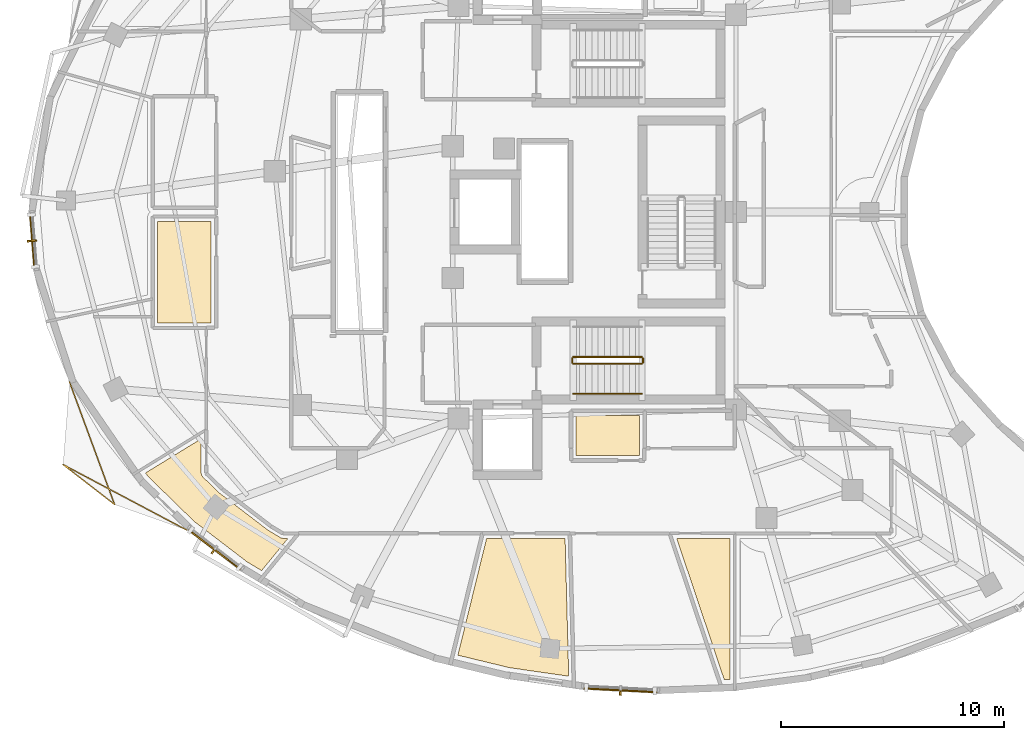
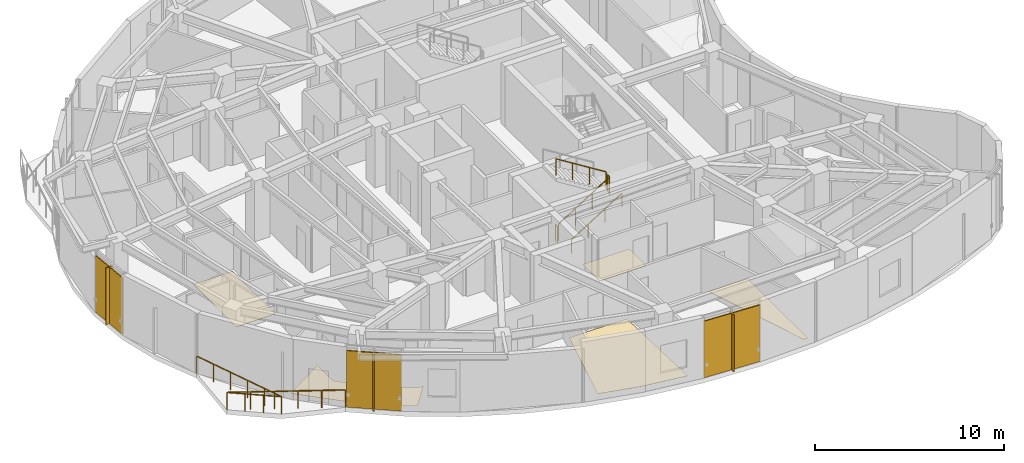
# One storey, part 12 of 14: 6 railings, 6 shading devices, 5 coverings.
"""IFC4 building model written with IfcOpenShell, lengths in metres."""

from ifc_helpers import new_model, si_unit, direction, frame, origin, origin_2d, place, context, subcontext, project, spatial, polyline, rectangle, outline, extrude, material, layer, layer_set, type_object, element, save


model = new_model("IFC4")

# Units and contexts
model_context = context("Model", 3, precision=1e-05, world=origin(), true_north=direction((0.0, 1.0)))
body_context = subcontext(model_context, "Body", "Model", "MODEL_VIEW")
ifc_project = project(units=[si_unit("LENGTHUNIT", "METRE"), si_unit("AREAUNIT", "SQUARE_METRE"), si_unit("VOLUMEUNIT", "CUBIC_METRE"), si_unit("PLANEANGLEUNIT", "RADIAN"), si_unit("MASSUNIT", "GRAM", prefix="KILO")], contexts=[model_context])

# Site, building, storey
site_placement = place(None, origin())
site = spatial("IfcSite", under=ifc_project, at=site_placement, CompositionType="ELEMENT")
building_placement = place(site_placement, origin())
building = spatial("IfcBuilding", under=site, at=building_placement, Name="Korentha Bioscience Tower", CompositionType="ELEMENT")
storey_placement = place(building_placement, frame((0.0, 0.0, 252.0)))
storey = spatial("IfcBuildingStorey", under=building, at=storey_placement, Name="L58", CompositionType="ELEMENT", Elevation=252.0)

# Railings
ifc_material_1 = material(Name="Stainless Steel 304", Category="steel")
railing_type_1 = type_object("IfcRailingType", Name="Brushed Stainless Stair Handrail 900", PredefinedType="HANDRAIL", material=ifc_material_1)
railing_1_placement = place(storey_placement, frame((30.25, 18.85009765625, 0.175048828125)))
element("IfcRailing", 1, at=railing_1_placement, inside=storey, type_object=railing_type_1, Name="L58 ST-2 stair handrail 1", PredefinedType="HANDRAIL", context=body_context, shape_type="SweptSolid", body=[
    extrude(rectangle(XDim=0.048095703125, YDim=0.048095703125, at=origin_2d()), frame((0.0, 0.0, 0.8759765625), z_axis=(0.847998304005, 0.0, 0.529998940003), x_axis=(0.0, 1.0, 0.0)), (0.0, 0.0, 1.0), 3.632080078125),
    extrude(rectangle(XDim=0.0419921875, YDim=0.0419921875, at=origin_2d()), origin(), (0.0, 0.0, 1.0), 0.851806640625),
    extrude(rectangle(XDim=0.0419921875, YDim=0.0419921875, at=origin_2d()), frame((1.026611328125, 0.0, 0.6416015625)), (0.0, 0.0, 1.0), 0.851806640625),
    extrude(rectangle(XDim=0.0419921875, YDim=0.0419921875, at=origin_2d()), frame((2.053466796875, 0.0, 1.283447265625)), (0.0, 0.0, 1.0), 0.851806640625),
    extrude(rectangle(XDim=0.0419921875, YDim=0.0419921875, at=origin_2d()), frame((3.080078125, 0.0, 1.925048828125)), (0.0, 0.0, 1.0), 0.851806640625),
])
ifc_material_2 = material(Name="Laminated Tempered Safety Glass", Category="glass")
railing_type_2 = type_object("IfcRailingType", Name="Laminated Glass Balcony Guardrail 1150", PredefinedType="BALUSTRADE", material=ifc_material_2)
railing_2_placement = place(storey_placement, frame((7.66455078125, 19.37890625, 0.0)))
element("IfcRailing", 2, at=railing_2_placement, inside=storey, type_object=railing_type_2, Name="L58 Balcony Guardrail 03", PredefinedType="BALUSTRADE", context=body_context, shape_type="SweptSolid", body=[
    extrude(rectangle(XDim=0.048095703125, YDim=0.048095703125, at=origin_2d()), frame((0.0, 0.0, 1.1259765625), z_axis=(0.345407668287, -0.938452738655, 0.0), x_axis=(0.938452738655, 0.345407668287, 0.0)), (0.0, 0.0, 1.0), 5.853271484375),
    extrude(rectangle(XDim=0.048095703125, YDim=0.048095703125, at=origin_2d()), frame((2.021728515625, -5.492919921875, 1.1259765625), z_axis=(-0.79056974997, 0.612372003306, 0.0), x_axis=(-0.612372003306, -0.79056974997, 0.0)), (0.0, 0.0, 1.0), 2.92236328125),
    extrude(rectangle(XDim=0.048095703125, YDim=0.048095703125, at=origin_2d()), frame((-0.28857421875, -3.703369140625, 1.1259765625), z_axis=(0.883768046782, -0.467925249892, 0.0), x_axis=(0.467925249892, 0.883768046782, 0.0)), (0.0, 0.0, 1.0), 6.276611328125),
    extrude(rectangle(XDim=0.0419921875, YDim=0.0419921875, at=origin_2d()), origin(), (0.0, 0.0, 1.0), 1.101806640625),
    extrude(rectangle(XDim=0.0419921875, YDim=0.0419921875, at=origin_2d()), frame((0.404296875, -1.0986328125, 0.0)), (0.0, 0.0, 1.0), 1.101806640625),
    extrude(rectangle(XDim=0.0419921875, YDim=0.0419921875, at=origin_2d()), frame((0.80859375, -2.197265625, 0.0)), (0.0, 0.0, 1.0), 1.101806640625),
    extrude(rectangle(XDim=0.0419921875, YDim=0.0419921875, at=origin_2d()), frame((1.213134765625, -3.295654296875, 0.0)), (0.0, 0.0, 1.0), 1.101806640625),
    extrude(rectangle(XDim=0.0419921875, YDim=0.0419921875, at=origin_2d()), frame((1.617431640625, -4.394287109375, 0.0)), (0.0, 0.0, 1.0), 1.101806640625),
    extrude(rectangle(XDim=0.0419921875, YDim=0.0419921875, at=origin_2d()), frame((2.021728515625, -5.492919921875, 0.0)), (0.0, 0.0, 1.0), 1.101806640625),
    extrude(rectangle(XDim=0.0419921875, YDim=0.0419921875, at=origin_2d()), frame((1.251708984375, -4.896484375, 0.0)), (0.0, 0.0, 1.0), 1.101806640625),
    extrude(rectangle(XDim=0.0419921875, YDim=0.0419921875, at=origin_2d()), frame((0.4814453125, -4.2998046875, 0.0)), (0.0, 0.0, 1.0), 1.101806640625),
    extrude(rectangle(XDim=0.0419921875, YDim=0.0419921875, at=origin_2d()), frame((-0.28857421875, -3.703369140625, 0.0)), (0.0, 0.0, 1.0), 1.101806640625),
    extrude(rectangle(XDim=0.0419921875, YDim=0.0419921875, at=origin_2d()), frame((0.82080078125, -4.290771484375, 0.0)), (0.0, 0.0, 1.0), 1.101806640625),
    extrude(rectangle(XDim=0.0419921875, YDim=0.0419921875, at=origin_2d()), frame((1.93017578125, -4.878173828125, 0.0)), (0.0, 0.0, 1.0), 1.101806640625),
    extrude(rectangle(XDim=0.0419921875, YDim=0.0419921875, at=origin_2d()), frame((3.039794921875, -5.465576171875, 0.0)), (0.0, 0.0, 1.0), 1.101806640625),
    extrude(rectangle(XDim=0.0419921875, YDim=0.0419921875, at=origin_2d()), frame((4.149169921875, -6.052978515625, 0.0)), (0.0, 0.0, 1.0), 1.101806640625),
    extrude(rectangle(XDim=0.0419921875, YDim=0.0419921875, at=origin_2d()), frame((5.258544921875, -6.640380859375, 0.0)), (0.0, 0.0, 1.0), 1.101806640625),
])
ifc_material_3 = material(Name="Painted Steel S275", Category="steel")
railing_type_3 = type_object("IfcRailingType", Name="Painted Steel Stair Well Guardrail 1100", PredefinedType="GUARDRAIL", material=ifc_material_3)
railing_3_placement = place(storey_placement, frame((30.25, 20.199951171875, 0.175048828125)))
element("IfcRailing", 3, at=railing_3_placement, inside=storey, type_object=railing_type_3, Name="L58 ST-2 stair guard 1", PredefinedType="GUARDRAIL", context=body_context, shape_type="SweptSolid", body=[
    extrude(rectangle(XDim=0.048095703125, YDim=0.048095703125, at=origin_2d()), frame((0.0, 0.0, 1.076171875), z_axis=(0.847998304005, 0.0, 0.529998940003), x_axis=(0.0, 1.0, 0.0)), (0.0, 0.0, 1.0), 3.632080078125),
    extrude(rectangle(XDim=0.0419921875, YDim=0.0419921875, at=origin_2d()), origin(), (0.0, 0.0, 1.0), 1.052001953125),
    extrude(rectangle(XDim=0.0419921875, YDim=0.0419921875, at=origin_2d()), frame((1.026611328125, 0.0, 0.6416015625)), (0.0, 0.0, 1.0), 1.052001953125),
    extrude(rectangle(XDim=0.0419921875, YDim=0.0419921875, at=origin_2d()), frame((2.053466796875, 0.0, 1.283447265625)), (0.0, 0.0, 1.0), 1.052001953125),
    extrude(rectangle(XDim=0.0419921875, YDim=0.0419921875, at=origin_2d()), frame((3.080078125, 0.0, 1.925048828125)), (0.0, 0.0, 1.0), 1.052001953125),
])
railing_4_placement = place(storey_placement, frame((33.3798828125, 20.25, 2.10009765625)))
element("IfcRailing", 4, at=railing_4_placement, inside=storey, type_object=railing_type_3, Name="L58 ST-2 stair guard 2", PredefinedType="GUARDRAIL", context=body_context, shape_type="SweptSolid", body=[
    extrude(rectangle(XDim=0.048095703125, YDim=0.048095703125, at=origin_2d()), frame((0.0, 0.0, 1.076171875), z_axis=(0.0, 1.0, 0.0), x_axis=(-1.0, 0.0, 0.0)), (0.0, 0.0, 1.0), 0.199951171875),
    extrude(rectangle(XDim=0.0419921875, YDim=0.0419921875, at=origin_2d()), origin(), (0.0, 0.0, 1.0), 1.052001953125),
    extrude(rectangle(XDim=0.0419921875, YDim=0.0419921875, at=origin_2d()), frame((0.0, 0.199951171875, 0.0)), (0.0, 0.0, 1.0), 1.052001953125),
])
railing_5_placement = place(storey_placement, frame((33.330078125, 20.5, 2.27490234375)))
element("IfcRailing", 5, at=railing_5_placement, inside=storey, type_object=railing_type_3, Name="L58 ST-2 stair guard 3", PredefinedType="GUARDRAIL", context=body_context, shape_type="SweptSolid", body=[
    extrude(rectangle(XDim=0.048095703125, YDim=0.048095703125, at=origin_2d()), frame((0.0, 0.0, 1.076171875), z_axis=(-0.847998304005, 0.0, 0.529998940003), x_axis=(0.0, -1.0, 0.0)), (0.0, 0.0, 1.0), 3.632080078125),
    extrude(rectangle(XDim=0.0419921875, YDim=0.0419921875, at=origin_2d()), origin(), (0.0, 0.0, 1.0), 1.052001953125),
    extrude(rectangle(XDim=0.0419921875, YDim=0.0419921875, at=origin_2d()), frame((-1.026611328125, 0.0, 0.6416015625)), (0.0, 0.0, 1.0), 1.052001953125),
    extrude(rectangle(XDim=0.0419921875, YDim=0.0419921875, at=origin_2d()), frame((-2.053466796875, 0.0, 1.283447265625)), (0.0, 0.0, 1.0), 1.052001953125),
    extrude(rectangle(XDim=0.0419921875, YDim=0.0419921875, at=origin_2d()), frame((-3.080078125, 0.0, 1.925048828125)), (0.0, 0.0, 1.0), 1.052001953125),
])
railing_6_placement = place(storey_placement, frame((30.199951171875, 20.25, 0.0)))
element("IfcRailing", 6, at=railing_6_placement, inside=storey, type_object=railing_type_3, Name="L58 ST-2 stair guard 4", PredefinedType="GUARDRAIL", context=body_context, shape_type="SweptSolid", body=[
    extrude(rectangle(XDim=0.048095703125, YDim=0.048095703125, at=origin_2d()), frame((0.0, 0.0, 1.076171875), z_axis=(0.0, 1.0, 0.0), x_axis=(-1.0, 0.0, 0.0)), (0.0, 0.0, 1.0), 0.199951171875),
    extrude(rectangle(XDim=0.0419921875, YDim=0.0419921875, at=origin_2d()), origin(), (0.0, 0.0, 1.0), 1.052001953125),
    extrude(rectangle(XDim=0.0419921875, YDim=0.0419921875, at=origin_2d()), frame((0.0, 0.199951171875, 0.0)), (0.0, 0.0, 1.0), 1.052001953125),
])

# Shading devices
ifc_material_4 = material(Name="Perforated Stone-Ceramic Composite", Category="masonry")
ifc_layer_1 = layer(ifc_material_4, 0.06494140625, Name="Perforated Stone-Ceramic Composite")
ifc_layer_set_1 = layer_set([ifc_layer_1], Name="Perforated Stone-Ceramic Composite (CS-01)")
shading_device_type_1 = type_object("IfcShadingDeviceType", Name="Perforated Stone-Ceramic Solar Screen Panel 65", PredefinedType="USERDEFINED", material=ifc_layer_set_1)
shading_device_1_placement = place(storey_placement, frame((5.99560546875, 25.709716796875, 0.0), z_axis=(0.0, 0.0, 1.0), x_axis=(0.079117478884, -0.996865299093, 0.0)))
element("IfcShadingDevice", 7, at=shading_device_1_placement, inside=storey, type_object=shading_device_type_1, Name="CW-L58-19 Perforated Stone-Ceramic Solar Screen", ObjectType="SCREEN", PredefinedType="USERDEFINED", context=body_context, shape_type="SweptSolid", body=[
    extrude(rectangle(XDim=2.498291015625, YDim=0.06494140625, at=origin_2d()), origin(), (0.0, 0.0, 1.0), 3.64990234375),
])
shading_device_2_placement = place(storey_placement, frame((14.1640625, 11.865234375, 0.0), z_axis=(0.0, 0.0, 1.0), x_axis=(0.794382455982, -0.607417906904, 0.0)))
element("IfcShadingDevice", 8, at=shading_device_2_placement, inside=storey, type_object=shading_device_type_1, Name="CW-L58-25 Perforated Stone-Ceramic Solar Screen", ObjectType="SCREEN", PredefinedType="USERDEFINED", context=body_context, shape_type="SweptSolid", body=[
    extrude(rectangle(XDim=2.932373046875, YDim=0.06494140625, at=origin_2d()), origin(), (0.0, 0.0, 1.0), 3.64990234375),
])
shading_device_3_placement = place(storey_placement, frame((32.3701171875, 5.554443359375, 0.0), z_axis=(0.0, 0.0, 1.0), x_axis=(0.998671032258, -0.051538037689, 0.0)))
element("IfcShadingDevice", 9, at=shading_device_3_placement, inside=storey, type_object=shading_device_type_1, Name="CW-L58-31 Perforated Stone-Ceramic Solar Screen", ObjectType="SCREEN", PredefinedType="USERDEFINED", context=body_context, shape_type="SweptSolid", body=[
    extrude(rectangle(XDim=3.31640625, YDim=0.06494140625, at=origin_2d()), origin(), (0.0, 0.0, 1.0), 3.64990234375),
])

# Coverings
ifc_material_5 = material(Name="Chemical-Resistant Epoxy Resin", Category="polymer")
ifc_layer_2 = layer(ifc_material_5, 0.011962890625, Name="Chemical-Resistant Epoxy Resin")
ifc_layer_set_2 = layer_set([ifc_layer_2], Name="Chemical-Resistant Epoxy Resin (FL-EPX)")
covering_type = type_object("IfcCoveringType", Name="Seamless Epoxy Laboratory Flooring 12", PredefinedType="FLOORING", material=ifc_layer_set_2)
covering_1_placement = place(storey_placement, origin())
element("IfcCovering", 10, at=covering_1_placement, inside=storey, type_object=covering_type, Name="L58 Core Instrumentation and Gas Store Floor Finish", PredefinedType="FLOORING", context=body_context, shape_type="SweptSolid", body=[
    extrude(outline(polyline([(33.22998046875, 17.8701171875), (33.219970703125, 16.080078125), (30.3798828125, 16.080078125), (30.371337890625, 17.8701171875), (33.22998046875, 17.8701171875)])), origin(), (0.0, 0.0, 1.0), 0.011962890625),
])
covering_2_placement = place(storey_placement, origin())
element("IfcCovering", 11, at=covering_2_placement, inside=storey, type_object=covering_type, Name="L58 Reclaimed Bank-1 Cold Freezer Alcove Floor Finish", PredefinedType="FLOORING", context=body_context, shape_type="SweptSolid", body=[
    extrude(outline(polyline([(14.02001953125, 22.030029296875), (11.6201171875, 22.02099609375), (11.6201171875, 26.580078125), (14.02001953125, 26.580078125), (14.02001953125, 22.030029296875)])), origin(), (0.0, 0.0, 1.0), 0.011962890625),
])
covering_3_placement = place(storey_placement, origin())
element("IfcCovering", 12, at=covering_3_placement, inside=storey, type_object=covering_type, Name="L58 Staff Pantry Kitchenette 03 Floor Finish", PredefinedType="FLOORING", context=body_context, shape_type="SweptSolid", body=[
    extrude(outline(polyline([(11.202392578125, 15.128662109375), (11.0673828125, 15.299072265625), (13.570068359375, 16.832763671875), (13.5703125, 15.280517578125), (13.583984375, 15.21240234375), (13.631103515625, 15.13525390625), (14.37158203125, 14.413330078125), (16.565185546875, 12.735595703125), (17.145263671875, 12.388427734375), (17.224853515625, 12.370361328125), (17.463623046875, 12.3701171875), (16.279296875, 10.923095703125), (15.618896484375, 11.319091796875), (13.25732421875, 13.125), (11.202392578125, 15.128662109375)])), origin(), (0.0, 0.0, 1.0), 0.011962890625),
])
covering_4_placement = place(storey_placement, origin())
element("IfcCovering", 13, at=covering_4_placement, inside=storey, type_object=covering_type, Name="L58 Cold-Chain Stability Chamber 05 Floor Finish", PredefinedType="FLOORING", context=body_context, shape_type="SweptSolid", body=[
    extrude(outline(polyline([(27.398193359375, 6.569091796875), (25.079345703125, 7.129638671875), (26.36572265625, 12.36767578125), (29.885986328125, 12.369873046875), (30.048095703125, 6.1865234375), (27.398193359375, 6.569091796875)])), origin(), (0.0, 0.0, 1.0), 0.011962890625),
])
covering_5_placement = place(storey_placement, origin())
element("IfcCovering", 14, at=covering_5_placement, inside=storey, type_object=covering_type, Name="L58 Senior Scientist Corner Office 07 Floor Finish", PredefinedType="FLOORING", context=body_context, shape_type="SweptSolid", body=[
    extrude(outline(polyline([(34.88916015625, 12.3701171875), (37.278076171875, 12.3701171875), (37.278076171875, 6.04443359375), (37.021484375, 6.0341796875), (34.88916015625, 12.3701171875)])), origin(), (0.0, 0.0, 1.0), 0.011962890625),
])

# Shading devices
ifc_material_6 = material(Name="Honed Travertine Limestone", Category="masonry")
ifc_layer_3 = layer(ifc_material_6, 0.080078125, Name="Honed Travertine Limestone")
ifc_layer_set_3 = layer_set([ifc_layer_3], Name="Honed Travertine Limestone (CS-02)")
shading_device_type_2 = type_object("IfcShadingDeviceType", Name="Vertical Honed Limestone Sunshade Fin 80x420", PredefinedType="USERDEFINED", material=ifc_layer_set_3)
for number, where, z_axis, x_axis, name in (
    (15, (5.9755859375, 25.708251953125, 0.0), (0.0, 0.0, 1.0), (0.079117478884, -0.996865299093, 0.0), "CW-L58-19 Limestone Sunshade Fin"),
    (16, (14.15185546875, 11.849365234375, 0.0), (0.0, 0.0, 1.0), (0.794382455982, -0.607417906904, 0.0), "CW-L58-25 Limestone Sunshade Fin"),
    (17, (32.369140625, 5.53466796875, 0.0), (0.0, 0.0, 1.0), (0.998671032258, -0.051538037689, 0.0), "CW-L58-31 Limestone Sunshade Fin"),
):
    element("IfcShadingDevice", number, at=place(storey_placement, frame(where, z_axis=z_axis, x_axis=x_axis)), inside=storey, type_object=shading_device_type_2, Name=name, ObjectType="SCREEN", PredefinedType="USERDEFINED", context=body_context, shape_type="SweptSolid", body=[
        extrude(rectangle(XDim=0.080078125, YDim=0.419921875, at=origin_2d()), origin(), (0.0, 0.0, 1.0), 3.64990234375),
    ])

save(model, "model.ifc")
